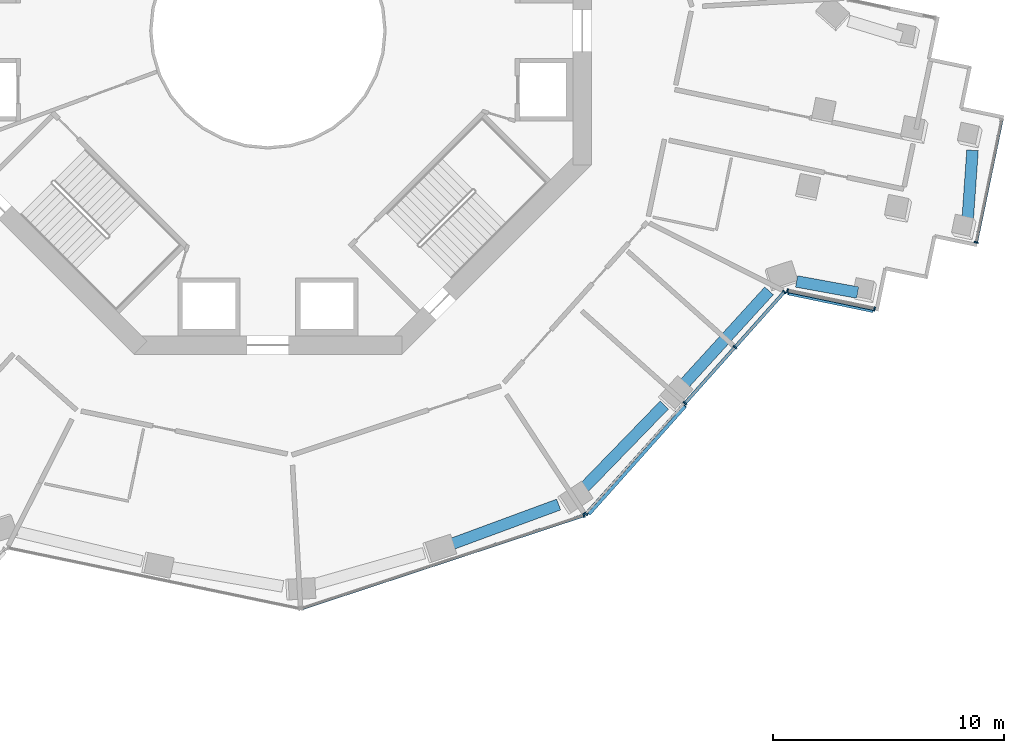
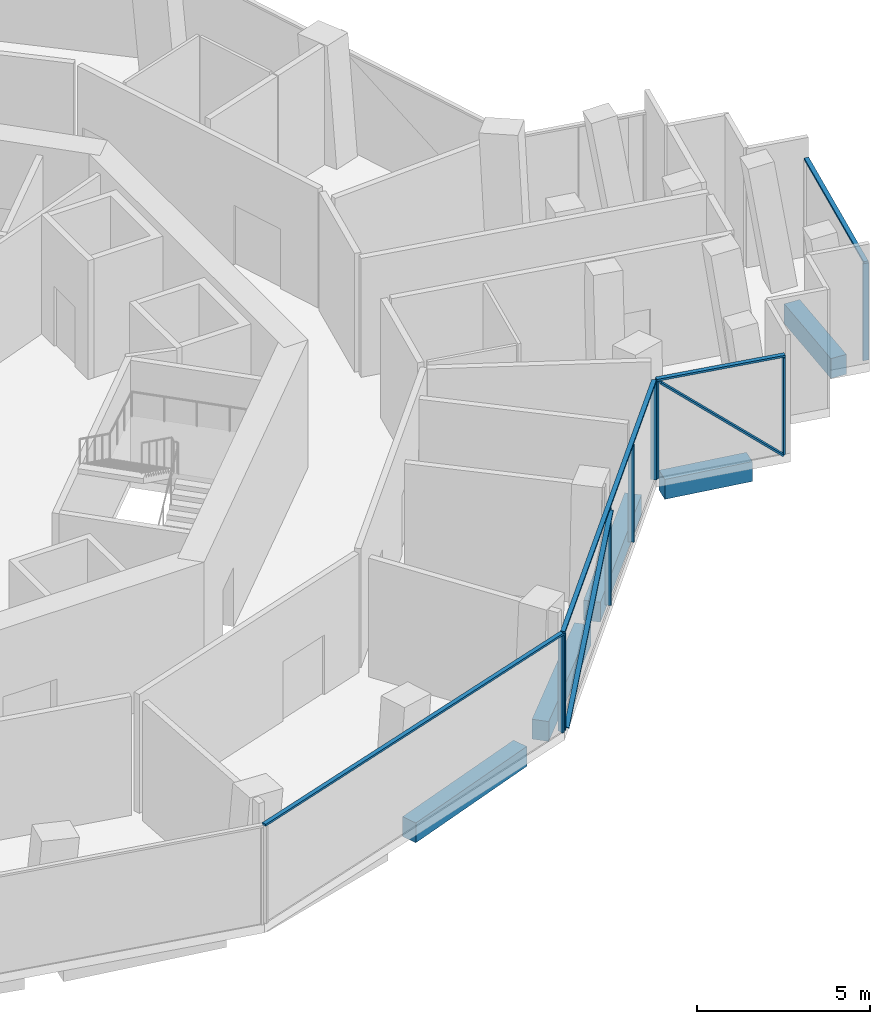
# One storey, part 5 of 21: 14 members, 5 beams, 4 elements without a shape of their own.
"""IFC4 building model written with IfcOpenShell, lengths in metres."""

from ifc_helpers import new_model, si_unit, direction, frame, origin, origin_2d, place, context, subcontext, project, spatial, rectangle, extrude, material, layer, layer_set, material_profile, profile_set, type_object, element, aggregate, save


model = new_model("IFC4")

# Units and contexts
model_context = context("Model", 3, precision=1e-05, world=origin(), true_north=direction((0.0, 1.0)))
body_context = subcontext(model_context, "Body", "Model", "MODEL_VIEW")
ifc_project = project(units=[si_unit("LENGTHUNIT", "METRE"), si_unit("AREAUNIT", "SQUARE_METRE"), si_unit("VOLUMEUNIT", "CUBIC_METRE"), si_unit("PLANEANGLEUNIT", "RADIAN"), si_unit("MASSUNIT", "GRAM", prefix="KILO")], contexts=[model_context])

# Site, building, storey
site_placement = place(None, origin())
site = spatial("IfcSite", under=ifc_project, at=site_placement, CompositionType="ELEMENT")
building_placement = place(site_placement, origin())
building = spatial("IfcBuilding", under=site, at=building_placement, Name="Verdalira Terraces Hotel", CompositionType="ELEMENT")
storey_placement = place(building_placement, frame((0.0, 0.0, 107.0)))
storey = spatial("IfcBuildingStorey", under=building, at=storey_placement, Name="L25", CompositionType="ELEMENT", Elevation=107.0)

# Curtain wall, member
ifc_material_1 = material(Name="Clear glass", Category="glass")
ifc_layer = layer(ifc_material_1, 0.179931640625)
ifc_layer_set = layer_set([ifc_layer], Name="CW4 curtain wall")
curtain_wall_type = type_object("IfcCurtainWallType", Name="CW4 curtain wall", PredefinedType="NOTDEFINED", material=ifc_layer_set)
curtain_wall_1_placement = place(storey_placement, origin())
curtain_wall_1 = element("IfcCurtainWall", 1, at=curtain_wall_1_placement, inside=storey, type_object=curtain_wall_type, Name="CW4 curtain wall L25 edge 26", PredefinedType="NOTDEFINED")
ifc_material_2 = material(Name="Terracotta frame", Category="masonry")
ifc_material_profile_1 = material_profile(ifc_material_2, rectangle(XDim=0.064941, YDim=0.179932, at=origin_2d()), Name="MU 65x180")
ifc_profile_set_1 = profile_set([ifc_material_profile_1], Name="Terracotta frame")
member_type_1 = type_object("IfcMemberType", Name="CW4 mullion 65x180", PredefinedType="MULLION", material=ifc_profile_set_1)
member_1_placement = place(storey_placement, frame((13.678467, -20.970703, 0.0), z_axis=(0.0, 0.0, 1.0), x_axis=(0.949753769, 0.312998048, 0.0)))
member_1 = element("IfcMember", 2, at=member_1_placement, type_object=member_type_1, Name="CW4 mullion", PredefinedType="MULLION", context=body_context, shape_type="SweptSolid", body=[
    extrude(rectangle(XDim=0.064941, YDim=0.179932, at=origin_2d()), origin(), (0.0, 0.0, 1.0), 3.419922),
])

# Curtain wall, members
curtain_wall_2_placement = place(storey_placement, origin())
curtain_wall_2 = element("IfcCurtainWall", 3, at=curtain_wall_2_placement, inside=storey, type_object=curtain_wall_type, Name="CW4 curtain wall L25 edge 27", PredefinedType="NOTDEFINED")
member_2_placement = place(storey_placement, frame((13.769775, -20.910889, 0.0), z_axis=(0.0, 0.0, 1.0), x_axis=(0.666011867, 0.745941145, 0.0)))
member_2 = element("IfcMember", 4, at=member_2_placement, type_object=member_type_1, Name="CW4 mullion", PredefinedType="MULLION", context=body_context, shape_type="SweptSolid", body=[
    extrude(rectangle(XDim=0.064941, YDim=0.179932, at=origin_2d()), origin(), (0.0, 0.0, 1.0), 3.419922),
])
member_3_placement = place(storey_placement, frame((18.050537, -16.116455, 0.0), z_axis=(0.0, 0.0, 1.0), x_axis=(0.666011867, 0.745941145, 0.0)))
member_3 = element("IfcMember", 5, at=member_3_placement, type_object=member_type_1, Name="CW4 mullion", PredefinedType="MULLION", context=body_context, shape_type="SweptSolid", body=[
    extrude(rectangle(XDim=0.064941, YDim=0.179932, at=origin_2d()), origin(), (0.0, 0.0, 1.0), 3.419922),
])
member_4_placement = place(storey_placement, frame((20.215088, -13.692139, 0.0), z_axis=(0.0, 0.0, 1.0), x_axis=(0.666011867, 0.745941145, 0.0)))
member_4 = element("IfcMember", 6, at=member_4_placement, type_object=member_type_1, Name="CW4 mullion", PredefinedType="MULLION", context=body_context, shape_type="SweptSolid", body=[
    extrude(rectangle(XDim=0.064941, YDim=0.179932, at=origin_2d()), origin(), (0.0, 0.0, 1.0), 3.419922),
])
member_5_placement = place(storey_placement, frame((22.346436, -11.304932, 0.0), z_axis=(0.0, 0.0, 1.0), x_axis=(0.666011867, 0.745941145, 0.0)))
member_5 = element("IfcMember", 7, at=member_5_placement, type_object=member_type_1, Name="CW4 mullion", PredefinedType="MULLION", context=body_context, shape_type="SweptSolid", body=[
    extrude(rectangle(XDim=0.064941, YDim=0.179932, at=origin_2d()), origin(), (0.0, 0.0, 1.0), 3.419922),
])

curtain_wall_3_placement = place(storey_placement, origin())
curtain_wall_3 = element("IfcCurtainWall", 8, at=curtain_wall_3_placement, inside=storey, type_object=curtain_wall_type, Name="CW4 curtain wall L25 edge 28", PredefinedType="NOTDEFINED")
member_6_placement = place(storey_placement, frame((22.485352, -11.259033, 0.0), z_axis=(0.0, 0.0, 1.0), x_axis=(0.979009915, -0.203812624, 0.0)))
member_6 = element("IfcMember", 9, at=member_6_placement, type_object=member_type_1, Name="CW4 mullion", PredefinedType="MULLION", context=body_context, shape_type="SweptSolid", body=[
    extrude(rectangle(XDim=0.064941, YDim=0.179932, at=origin_2d()), origin(), (0.0, 0.0, 1.0), 3.419922),
])
member_7_placement = place(storey_placement, frame((26.247559, -12.042236, 0.0), z_axis=(0.0, 0.0, 1.0), x_axis=(0.979009915, -0.203812624, 0.0)))
member_7 = element("IfcMember", 10, at=member_7_placement, type_object=member_type_1, Name="CW4 mullion", PredefinedType="MULLION", context=body_context, shape_type="SweptSolid", body=[
    extrude(rectangle(XDim=0.064941, YDim=0.179932, at=origin_2d()), origin(), (0.0, 0.0, 1.0), 3.419922),
])

# Curtain wall, member
curtain_wall_4_placement = place(storey_placement, origin())
curtain_wall_4 = element("IfcCurtainWall", 11, at=curtain_wall_4_placement, inside=storey, type_object=curtain_wall_type, Name="CW4 curtain wall L25 edge 33", PredefinedType="NOTDEFINED")
member_8_placement = place(storey_placement, frame((30.650635, -9.156738, 0.0), z_axis=(0.0, 0.0, 1.0), x_axis=(0.203812624, 0.979009915, 0.0)))
member_8 = element("IfcMember", 12, at=member_8_placement, type_object=member_type_1, Name="CW4 mullion", PredefinedType="MULLION", context=body_context, shape_type="SweptSolid", body=[
    extrude(rectangle(XDim=0.064941, YDim=0.179932, at=origin_2d()), origin(), (0.0, 0.0, 1.0), 3.419922),
])

# Member
ifc_material_3 = material(Name="Terracotta frame", Category="masonry")
ifc_material_profile_2 = material_profile(ifc_material_3, rectangle(XDim=0.139893, YDim=0.070068, at=origin_2d()), Name="TR 70x140")
ifc_profile_set_2 = profile_set([ifc_material_profile_2], Name="Terracotta frame")
member_type_2 = type_object("IfcMemberType", Name="CW4 transom 70x140", PredefinedType="USERDEFINED", material=ifc_profile_set_2)
member_9_placement = place(storey_placement, frame((1.438721, -25.004395, 3.455078), z_axis=(0.949751169, 0.313005937, 0.0), x_axis=(-0.313005937, 0.949751169, 0.0)))
member_9 = element("IfcMember", 13, at=member_9_placement, type_object=member_type_2, Name="CW4 transom", ObjectType="TRANSOM", PredefinedType="USERDEFINED", context=body_context, shape_type="SweptSolid", body=[
    extrude(rectangle(XDim=0.139893, YDim=0.070068, at=origin_2d()), origin(), (0.0, 0.0, 1.0), 12.919678),
])

aggregate(curtain_wall_1, [member_1, member_9])

member_10_placement = place(storey_placement, frame((13.748291, -20.935059, 3.455078), z_axis=(0.66601427, 0.745939, 0.0), x_axis=(-0.745939, 0.66601427, 0.0)))
member_10 = element("IfcMember", 14, at=member_10_placement, type_object=member_type_2, Name="CW4 transom", ObjectType="TRANSOM", PredefinedType="USERDEFINED", context=body_context, shape_type="SweptSolid", body=[
    extrude(rectangle(XDim=0.139893, YDim=0.070068, at=origin_2d()), origin(), (0.0, 0.0, 1.0), 12.942383),
])

member_11_placement = place(storey_placement, frame((22.453613, -11.252441, 3.455078), z_axis=(0.979000166, -0.203859448, 0.0), x_axis=(0.203859448, 0.979000166, 0.0)))
member_11 = element("IfcMember", 15, at=member_11_placement, type_object=member_type_2, Name="CW4 transom", ObjectType="TRANSOM", PredefinedType="USERDEFINED", context=body_context, shape_type="SweptSolid", body=[
    extrude(rectangle(XDim=0.139893, YDim=0.070068, at=origin_2d()), origin(), (0.0, 0.0, 1.0), 3.907715),
])

member_12_placement = place(storey_placement, frame((30.644043, -9.188477, 3.455078), z_axis=(0.203792942, 0.979014013, 0.0), x_axis=(-0.979014013, 0.203792942, 0.0)))
member_12 = element("IfcMember", 16, at=member_12_placement, type_object=member_type_2, Name="CW4 transom", ObjectType="TRANSOM", PredefinedType="USERDEFINED", context=body_context, shape_type="SweptSolid", body=[
    extrude(rectangle(XDim=0.139893, YDim=0.070068, at=origin_2d()), origin(), (0.0, 0.0, 1.0), 5.5),
])

aggregate(curtain_wall_4, [member_8, member_12])

ifc_material_4 = material(Name="Terracotta frame", Category="masonry")
ifc_material_profile_3 = material_profile(ifc_material_4, rectangle(XDim=0.149902, YDim=0.060059, at=origin_2d()), Name="GB 60x150")
ifc_profile_set_3 = profile_set([ifc_material_profile_3], Name="Terracotta frame")
member_type_3 = type_object("IfcMemberType", Name="Diagonal glazing bar 60x150", PredefinedType="USERDEFINED", material=ifc_profile_set_3)
member_13_placement = place(storey_placement, frame((13.894775, -20.9104, 0.027344), z_axis=(0.58664358, 0.657024322, 0.473464202), x_axis=(-0.745929359, 0.666025069, 0.0)))
member_13 = element("IfcMember", 17, at=member_13_placement, type_object=member_type_3, Name="Diagonal glazing bar", ObjectType="GLAZING BAR", PredefinedType="USERDEFINED", context=body_context, shape_type="SweptSolid", body=[
    extrude(rectangle(XDim=0.149902, YDim=0.060059, at=origin_2d()), origin(), (0.0, 0.0, 1.0), 7.107666),
])

aggregate(curtain_wall_2, [member_2, member_3, member_4, member_5, member_10, member_13])

member_14_placement = place(storey_placement, frame((22.523682, -11.362061, 3.396484), z_axis=(0.725799388, -0.151125219, -0.671100899), x_axis=(0.203846971, 0.979002764, 0.0)))
member_14 = element("IfcMember", 18, at=member_14_placement, type_object=member_type_3, Name="Diagonal glazing bar", ObjectType="GLAZING BAR", PredefinedType="USERDEFINED", context=body_context, shape_type="SweptSolid", body=[
    extrude(rectangle(XDim=0.149902, YDim=0.060059, at=origin_2d()), origin(), (0.0, 0.0, 1.0), 5.025879),
])

aggregate(curtain_wall_3, [member_6, member_7, member_11, member_14])

# Beams
ifc_material_5 = material(Name="Concrete C70", Category="concrete")
ifc_material_profile_4 = material_profile(ifc_material_5, rectangle(XDim=0.5, YDim=0.699951, at=origin_2d()), Name="RC 500X700")
ifc_profile_set_4 = profile_set([ifc_material_profile_4], Name="Concrete C70")
beam_type = type_object("IfcBeamType", Name="Spandrel beam RC 500X700 C70", PredefinedType="SPANDREL", material=ifc_profile_set_4)
beam_1_placement = place(storey_placement, frame((7.878906, -22.238037, -0.659912), z_axis=(0.938155871, 0.346213173, 0.0), x_axis=(-0.346213173, 0.938155871, 0.0)))
element("IfcBeam", 19, at=beam_1_placement, inside=storey, type_object=beam_type, Name="Spandrel beam B18", PredefinedType="SPANDREL", context=body_context, shape_type="SweptSolid", body=[
    extrude(rectangle(XDim=0.5, YDim=0.699951, at=origin_2d()), origin(), (0.0, 0.0, 1.0), 5.012451),
])
beam_2_placement = place(storey_placement, frame((13.659668, -19.798584, -0.659912), z_axis=(0.696390592, 0.717662973, 0.0), x_axis=(-0.717662973, 0.696390592, 0.0)))
element("IfcBeam", 20, at=beam_2_placement, inside=storey, type_object=beam_type, Name="Spandrel beam B19", PredefinedType="SPANDREL", context=body_context, shape_type="SweptSolid", body=[
    extrude(rectangle(XDim=0.5, YDim=0.699951, at=origin_2d()), origin(), (0.0, 0.0, 1.0), 5.015381),
])
beam_3_placement = place(storey_placement, frame((17.949707, -15.351807, -0.659912), z_axis=(0.673774364, 0.738937146, 0.0), x_axis=(-0.738937146, 0.673774364, 0.0)))
element("IfcBeam", 21, at=beam_3_placement, inside=storey, type_object=beam_type, Name="Spandrel beam B20", PredefinedType="SPANDREL", context=body_context, shape_type="SweptSolid", body=[
    extrude(rectangle(XDim=0.5, YDim=0.699951, at=origin_2d()), origin(), (0.0, 0.0, 1.0), 5.544922),
])
beam_4_placement = place(storey_placement, frame((22.879639, -10.848145, -0.659912), z_axis=(0.983848084, -0.179005441, 0.0), x_axis=(0.179005441, 0.983848084, 0.0)))
element("IfcBeam", 22, at=beam_4_placement, inside=storey, type_object=beam_type, Name="Spandrel beam B21", PredefinedType="SPANDREL", context=body_context, shape_type="SweptSolid", body=[
    extrude(rectangle(XDim=0.5, YDim=0.699951, at=origin_2d()), origin(), (0.0, 0.0, 1.0), 2.685547),
])
beam_5_placement = place(storey_placement, frame((30.276611, -8.242432, -0.659912), z_axis=(0.069921533, 0.997552494, 0.0), x_axis=(-0.997552494, 0.069921533, 0.0)))
element("IfcBeam", 23, at=beam_5_placement, inside=storey, type_object=beam_type, Name="Spandrel beam B22", PredefinedType="SPANDREL", context=body_context, shape_type="SweptSolid", body=[
    extrude(rectangle(XDim=0.5, YDim=0.699951, at=origin_2d()), origin(), (0.0, 0.0, 1.0), 3.076172),
])

save(model, "model.ifc")
